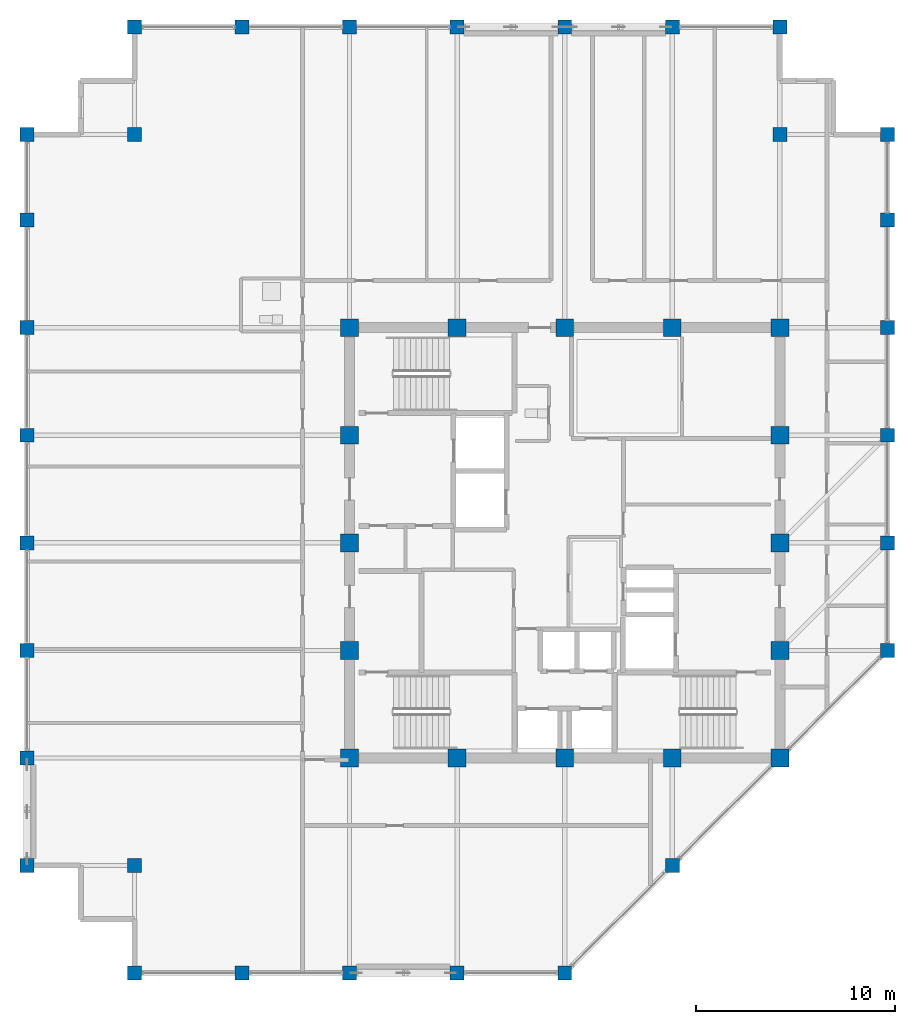
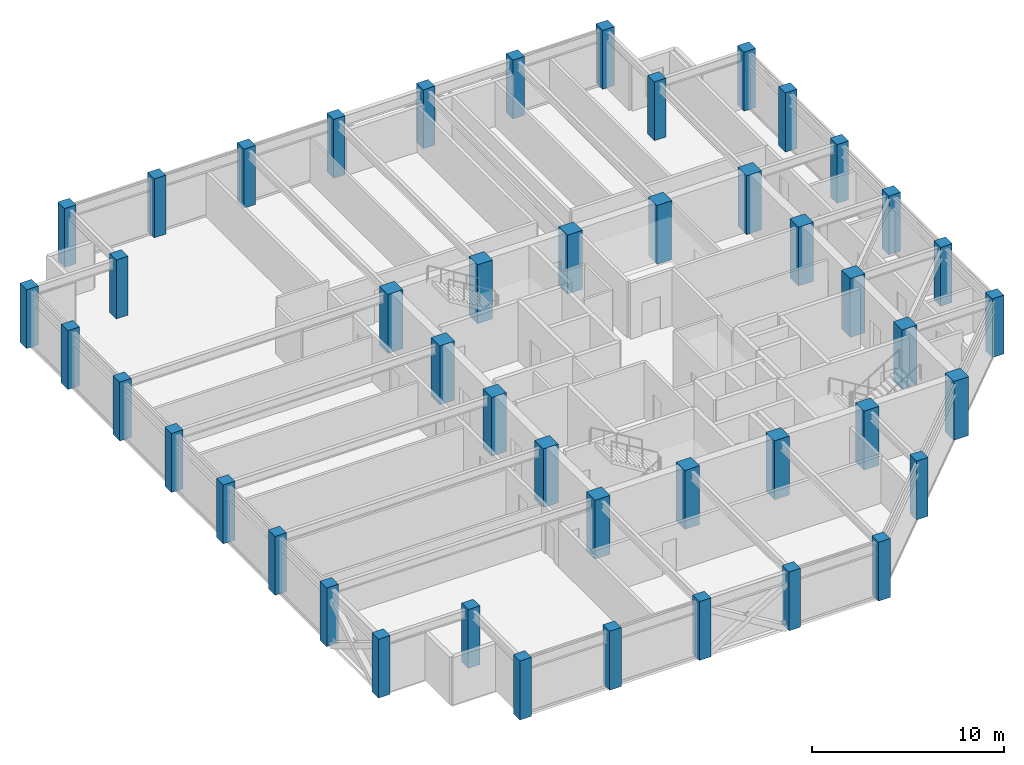
# One storey, part 1 of 31: 46 columns.
"""IFC4 building model written with IfcOpenShell, lengths in metres."""

from ifc_helpers import new_model, si_unit, direction, frame, origin, origin_2d, place, context, subcontext, project, spatial, rectangle, extrude, material, material_profile, profile_set, type_object, element, save


model = new_model("IFC4")

# Units and contexts
model_context = context("Model", 3, precision=1e-05, world=origin(), true_north=direction((0.0, 1.0)))
body_context = subcontext(model_context, "Body", "Model", "MODEL_VIEW")
ifc_project = project(units=[si_unit("LENGTHUNIT", "METRE"), si_unit("AREAUNIT", "SQUARE_METRE"), si_unit("VOLUMEUNIT", "CUBIC_METRE"), si_unit("PLANEANGLEUNIT", "RADIAN"), si_unit("MASSUNIT", "GRAM", prefix="KILO")], contexts=[model_context])

# Site, building, storey
site_placement = place(None, origin())
site = spatial("IfcSite", under=ifc_project, at=site_placement, CompositionType="ELEMENT")
building_placement = place(site_placement, origin())
building = spatial("IfcBuilding", under=site, at=building_placement, Name="Surkhivell Harbour Commons", CompositionType="ELEMENT")
storey_placement = place(building_placement, frame((0.0, 0.0, 330.0)))
storey = spatial("IfcBuildingStorey", under=building, at=storey_placement, Name="L86", CompositionType="ELEMENT", Elevation=330.0)

# Columns
ifc_material_1 = material(Name="Concrete C60/75", Category="concrete")
ifc_material_profile_1 = material_profile(ifc_material_1, rectangle(XDim=0.89990234375, YDim=0.89990234375, at=origin_2d()), Name="RC-COL-900x900")
ifc_profile_set_1 = profile_set([ifc_material_profile_1], Name="Concrete C60/75")
column_type_1 = type_object("IfcColumnType", Name="COL-TUBE-Z3A", PredefinedType="COLUMN", material=ifc_profile_set_1)
for number, where, z_axis, x_axis, name in (
    (1, (-10.800048828125, -10.800048828125, 0.0), (0.0, 0.0, 1.0), (1.0, 0.0, 0.0), "L86 Column CT-3A (-10.8,-10.8)"),
    (2, (-10.800048828125, -5.39990234375, 0.0), (0.0, 0.0, 1.0), (1.0, 0.0, 0.0), "L86 Column CT-3A (-10.8,-5.4)"),
    (3, (-10.800048828125, 0.0, 0.0), (0.0, 0.0, 1.0), (1.0, 0.0, 0.0), "L86 Column CT-3A (-10.8,0.0)"),
    (4, (-10.800048828125, 5.39990234375, 0.0), (0.0, 0.0, 1.0), (1.0, 0.0, 0.0), "L86 Column CT-3A (-10.8,5.4)"),
    (5, (-10.800048828125, 10.800048828125, 0.0), (0.0, 0.0, 1.0), (1.0, 0.0, 0.0), "L86 Column CT-3A (-10.8,10.8)"),
    (6, (-5.39990234375, -10.800048828125, 0.0), (0.0, 0.0, 1.0), (1.0, 0.0, 0.0), "L86 Column CT-3A (-5.4,-10.8)"),
    (7, (-5.39990234375, 10.800048828125, 0.0), (0.0, 0.0, 1.0), (1.0, 0.0, 0.0), "L86 Column CT-3A (-5.4,10.8)"),
    (8, (0.0, -10.800048828125, 0.0), (0.0, 0.0, 1.0), (1.0, 0.0, 0.0), "L86 Column CT-3A (0.0,-10.8)"),
    (9, (0.0, 10.800048828125, 0.0), (0.0, 0.0, 1.0), (1.0, 0.0, 0.0), "L86 Column CT-3A (0.0,10.8)"),
    (10, (5.39990234375, -10.800048828125, 0.0), (0.0, 0.0, 1.0), (1.0, 0.0, 0.0), "L86 Column CT-3A (5.4,-10.8)"),
    (11, (5.39990234375, 10.800048828125, 0.0), (0.0, 0.0, 1.0), (1.0, 0.0, 0.0), "L86 Column CT-3A (5.4,10.8)"),
    (12, (10.800048828125, -10.800048828125, 0.0), (0.0, 0.0, 1.0), (1.0, 0.0, 0.0), "L86 Column CT-3A (10.8,-10.8)"),
    (13, (10.800048828125, -5.39990234375, 0.0), (0.0, 0.0, 1.0), (1.0, 0.0, 0.0), "L86 Column CT-3A (10.8,-5.4)"),
    (14, (10.800048828125, 0.0, 0.0), (0.0, 0.0, 1.0), (1.0, 0.0, 0.0), "L86 Column CT-3A (10.8,0.0)"),
    (15, (10.800048828125, 5.39990234375, 0.0), (0.0, 0.0, 1.0), (1.0, 0.0, 0.0), "L86 Column CT-3A (10.8,5.4)"),
    (16, (10.800048828125, 10.800048828125, 0.0), (0.0, 0.0, 1.0), (1.0, 0.0, 0.0), "L86 Column CT-3A (10.8,10.8)"),
):
    element("IfcColumn", number, at=place(storey_placement, frame(where, z_axis=z_axis, x_axis=x_axis)), inside=storey, type_object=column_type_1, Name=name, PredefinedType="COLUMN", context=body_context, shape_type="SweptSolid", body=[
        extrude(rectangle(XDim=0.89990234375, YDim=0.89990234375, at=origin_2d()), origin(), (0.0, 0.0, 1.0), 3.75),
    ])
ifc_material_2 = material(Name="Concrete C50/60", Category="concrete")
ifc_material_profile_2 = material_profile(ifc_material_2, rectangle(XDim=0.699951171875, YDim=0.699951171875, at=origin_2d()), Name="RC-COL-700x700")
ifc_profile_set_2 = profile_set([ifc_material_profile_2], Name="Concrete C50/60")
column_type_2 = type_object("IfcColumnType", Name="COL-TUBE-Z4", PredefinedType="COLUMN", material=ifc_profile_set_2)
for number, where, z_axis, x_axis, name in (
    (17, (-27.0, -16.199951171875, 0.0), (0.0, 0.0, 1.0), (1.0, 0.0, 0.0), "L86 Column CT-4 (-27.0,-16.2)"),
    (18, (-27.0, -10.800048828125, 0.0), (0.0, 0.0, 1.0), (1.0, 0.0, 0.0), "L86 Column CT-4 (-27.0,-10.8)"),
    (19, (-27.0, -5.39990234375, 0.0), (0.0, 0.0, 1.0), (1.0, 0.0, 0.0), "L86 Column CT-4 (-27.0,-5.4)"),
    (20, (-27.0, 0.0, 0.0), (0.0, 0.0, 1.0), (1.0, 0.0, 0.0), "L86 Column CT-4 (-27.0,0.0)"),
    (21, (-27.0, 5.39990234375, 0.0), (0.0, 0.0, 1.0), (1.0, 0.0, 0.0), "L86 Column CT-4 (-27.0,5.4)"),
    (22, (-27.0, 10.800048828125, 0.0), (0.0, 0.0, 1.0), (1.0, 0.0, 0.0), "L86 Column CT-4 (-27.0,10.8)"),
    (23, (-27.0, 16.199951171875, 0.0), (0.0, 0.0, 1.0), (1.0, 0.0, 0.0), "L86 Column CT-4 (-27.0,16.2)"),
    (24, (-27.0, 20.5, 0.0), (0.0, 0.0, 1.0), (1.0, 0.0, 0.0), "L86 Column CT-4 (-27.0,20.5)"),
    (25, (-21.60009765625, -21.60009765625, 0.0), (0.0, 0.0, 1.0), (1.0, 0.0, 0.0), "L86 Column CT-4 (-21.6,-21.6)"),
    (26, (-21.60009765625, -16.199951171875, 0.0), (0.0, 0.0, 1.0), (1.0, 0.0, 0.0), "L86 Column CT-4 (-21.6,-16.2)"),
    (27, (-21.60009765625, 20.5, 0.0), (0.0, 0.0, 1.0), (1.0, 0.0, 0.0), "L86 Column CT-4 (-21.6,20.5)"),
    (28, (-21.60009765625, 25.89990234375, 0.0), (0.0, 0.0, 1.0), (1.0, 0.0, 0.0), "L86 Column CT-4 (-21.6,25.9)"),
    (29, (-16.199951171875, -21.60009765625, 0.0), (0.0, 0.0, 1.0), (1.0, 0.0, 0.0), "L86 Column CT-4 (-16.2,-21.6)"),
    (30, (-16.199951171875, 25.89990234375, 0.0), (0.0, 0.0, 1.0), (1.0, 0.0, 0.0), "L86 Column CT-4 (-16.2,25.9)"),
    (31, (-10.800048828125, -21.60009765625, 0.0), (0.0, 0.0, 1.0), (1.0, 0.0, 0.0), "L86 Column CT-4 (-10.8,-21.6)"),
    (32, (-10.800048828125, 25.89990234375, 0.0), (0.0, 0.0, 1.0), (1.0, 0.0, 0.0), "L86 Column CT-4 (-10.8,25.9)"),
    (33, (-5.39990234375, -21.60009765625, 0.0), (0.0, 0.0, 1.0), (1.0, 0.0, 0.0), "L86 Column CT-4 (-5.4,-21.6)"),
    (34, (-5.39990234375, 25.89990234375, 0.0), (0.0, 0.0, 1.0), (1.0, 0.0, 0.0), "L86 Column CT-4 (-5.4,25.9)"),
    (35, (0.0, -21.60009765625, 0.0), (0.0, 0.0, 1.0), (1.0, 0.0, 0.0), "L86 Column CT-4 (-0.0,-21.6)"),
    (36, (0.0, 25.89990234375, 0.0), (0.0, 0.0, 1.0), (1.0, 0.0, 0.0), "L86 Column CT-4 (-0.0,25.9)"),
    (37, (5.39990234375, -16.199951171875, 0.0), (0.0, 0.0, 1.0), (1.0, 0.0, 0.0), "L86 Column CT-4 (5.4,-16.2)"),
    (38, (5.39990234375, 25.89990234375, 0.0), (0.0, 0.0, 1.0), (1.0, 0.0, 0.0), "L86 Column CT-4 (5.4,25.9)"),
    (39, (10.800048828125, 20.5, 0.0), (0.0, 0.0, 1.0), (1.0, 0.0, 0.0), "L86 Column CT-4 (10.8,20.5)"),
    (40, (10.800048828125, 25.89990234375, 0.0), (0.0, 0.0, 1.0), (1.0, 0.0, 0.0), "L86 Column CT-4 (10.8,25.9)"),
    (41, (16.199951171875, -5.39990234375, 0.0), (0.0, 0.0, 1.0), (1.0, 0.0, 0.0), "L86 Column CT-4 (16.2,-5.4)"),
    (42, (16.199951171875, 0.0, 0.0), (0.0, 0.0, 1.0), (1.0, 0.0, 0.0), "L86 Column CT-4 (16.2,0.0)"),
    (43, (16.199951171875, 5.39990234375, 0.0), (0.0, 0.0, 1.0), (1.0, 0.0, 0.0), "L86 Column CT-4 (16.2,5.4)"),
    (44, (16.199951171875, 10.800048828125, 0.0), (0.0, 0.0, 1.0), (1.0, 0.0, 0.0), "L86 Column CT-4 (16.2,10.8)"),
    (45, (16.199951171875, 16.199951171875, 0.0), (0.0, 0.0, 1.0), (1.0, 0.0, 0.0), "L86 Column CT-4 (16.2,16.2)"),
    (46, (16.199951171875, 20.5, 0.0), (0.0, 0.0, 1.0), (1.0, 0.0, 0.0), "L86 Column CT-4 (16.2,20.5)"),
):
    element("IfcColumn", number, at=place(storey_placement, frame(where, z_axis=z_axis, x_axis=x_axis)), inside=storey, type_object=column_type_2, Name=name, PredefinedType="COLUMN", context=body_context, shape_type="SweptSolid", body=[
        extrude(rectangle(XDim=0.699951171875, YDim=0.699951171875, at=origin_2d()), origin(), (0.0, 0.0, 1.0), 3.75),
    ])

save(model, "model.ifc")
